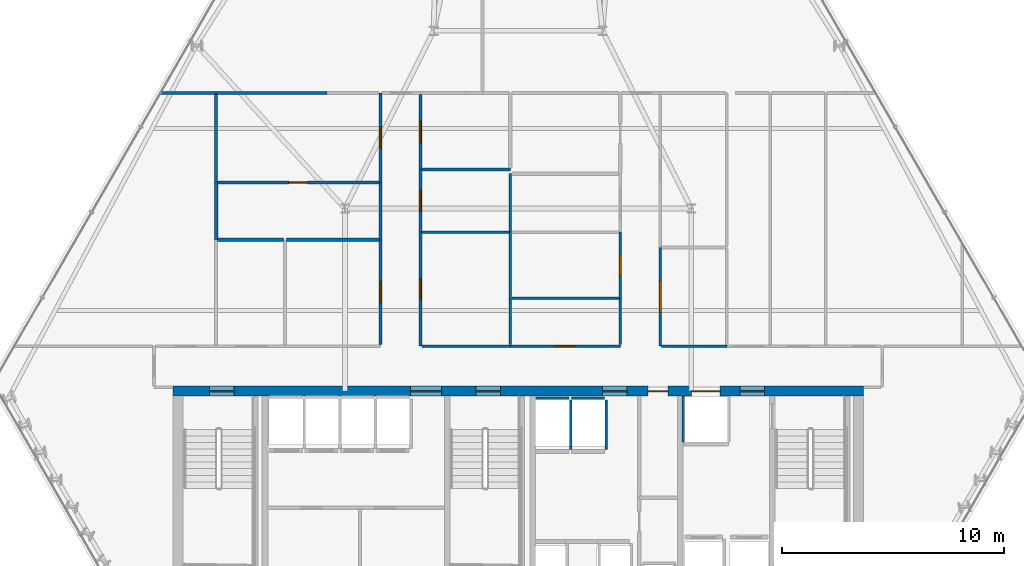
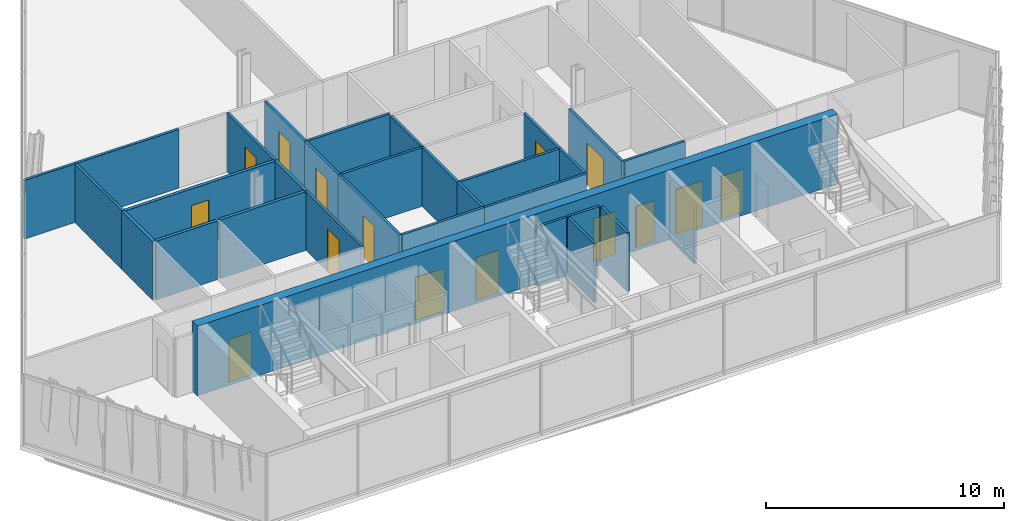
# One storey, part 26 of 31: 31 walls, 16 doors, 16 openings.
"""IFC4 building model written with IfcOpenShell, lengths in metres."""

from ifc_helpers import new_model, si_unit, direction, frame, frame_2d, origin, place, context, subcontext, project, spatial, rectangle, extrude, material, layer, layer_set, type_object, element, fill, save


model = new_model("IFC4")

# Units and contexts
model_context = context("Model", 3, precision=1e-05, world=origin(), true_north=direction((0.0, 1.0)))
body_context = subcontext(model_context, "Body", "Model", "MODEL_VIEW")
ifc_project = project(units=[si_unit("LENGTHUNIT", "METRE"), si_unit("AREAUNIT", "SQUARE_METRE"), si_unit("VOLUMEUNIT", "CUBIC_METRE"), si_unit("PLANEANGLEUNIT", "RADIAN"), si_unit("MASSUNIT", "GRAM", prefix="KILO")], contexts=[model_context])

# Site, building, storey
site_placement = place(None, origin())
site = spatial("IfcSite", under=ifc_project, at=site_placement, CompositionType="ELEMENT")
building_placement = place(site_placement, origin())
building = spatial("IfcBuilding", under=site, at=building_placement, Name="Ndaravel Arena Tower", CompositionType="ELEMENT")
storey_placement = place(building_placement, frame((0.0, 0.0, 146.0)))
storey = spatial("IfcBuildingStorey", under=building, at=storey_placement, Name="L34", CompositionType="ELEMENT", Elevation=146.0)

# Wall, openings, doors
ifc_material_1 = material(Name="Concrete C60/75", Category="concrete")
ifc_layer_1 = layer(ifc_material_1, 0.449951171875)
ifc_layer_set_1 = layer_set([ifc_layer_1], Name="Concrete C60/75")
wall_type_1 = type_object("IfcWallType", Name="WALL-CORE-450", PredefinedType="SOLIDWALL", material=ifc_layer_set_1)
wall_1_placement = place(storey_placement, frame((26.449951171875, 14.97509765625, 0.0), z_axis=(0.0, 0.0, 1.0), x_axis=(1.0, 0.0, 0.0)))
wall_1 = element("IfcWall", 1, at=wall_1_placement, inside=storey, type_object=wall_type_1, Name="L34 Core North Shear Wall", PredefinedType="SOLIDWALL", context=body_context, shape_type="SweptSolid", body=[
    extrude(rectangle(XDim=31.10009765625, YDim=0.449951171875, at=frame_2d((15.550048828125, 0.0))), origin(), (0.0, 0.0, 1.0), 3.580078125),
])
opening_1_placement = place(wall_1_placement, frame((1.64990234375, 0.0, 0.0)))
opening_1 = element("IfcOpeningElement", 2, at=opening_1_placement, cuts=wall_1, Name="Opening FD-01", PredefinedType="OPENING", context=body_context, shape_type="SweptSolid", body=[
    extrude(rectangle(XDim=1.10009765625, YDim=2.199951171875, at=frame_2d((0.550048828125, 1.10009765625))), frame((0.0, 0.22509765625, 0.0), z_axis=(0.0, -1.0, 0.0), x_axis=(1.0, 0.0, 0.0)), (0.0, 0.0, 1.0), 0.449951171875),
])
opening_2_placement = place(wall_1_placement, frame((13.64990234375, 0.0, 0.0)))
opening_2 = element("IfcOpeningElement", 3, at=opening_2_placement, cuts=wall_1, Name="Opening FD-01", PredefinedType="OPENING", context=body_context, shape_type="SweptSolid", body=[
    extrude(rectangle(XDim=1.10009765625, YDim=2.199951171875, at=frame_2d((0.550048828125, 1.10009765625))), frame((0.0, 0.22509765625, 0.0), z_axis=(0.0, -1.0, 0.0), x_axis=(1.0, 0.0, 0.0)), (0.0, 0.0, 1.0), 0.449951171875),
])
opening_3_placement = place(wall_1_placement, frame((25.550048828125, 0.0, 0.0)))
opening_3 = element("IfcOpeningElement", 4, at=opening_3_placement, cuts=wall_1, Name="Opening FD-01", PredefinedType="OPENING", context=body_context, shape_type="SweptSolid", body=[
    extrude(rectangle(XDim=1.10009765625, YDim=2.199951171875, at=frame_2d((0.550048828125, 1.10009765625))), frame((0.0, 0.22509765625, 0.0), z_axis=(0.0, -1.0, 0.0), x_axis=(1.0, 0.0, 0.0)), (0.0, 0.0, 1.0), 0.449951171875),
])
opening_4_placement = place(wall_1_placement, frame((10.699951171875, 0.0, 0.0)))
opening_4 = element("IfcOpeningElement", 5, at=opening_4_placement, cuts=wall_1, Name="Opening ID-02", PredefinedType="OPENING", context=body_context, shape_type="SweptSolid", body=[
    extrude(rectangle(XDim=1.39990234375, YDim=2.199951171875, at=frame_2d((0.699951171875, 1.10009765625))), frame((0.0, 0.22509765625, 0.0), z_axis=(0.0, -1.0, 0.0), x_axis=(1.0, 0.0, 0.0)), (0.0, 0.0, 1.0), 0.449951171875),
])
opening_5_placement = place(wall_1_placement, frame((19.35009765625, 0.0, 0.0)))
opening_5 = element("IfcOpeningElement", 6, at=opening_5_placement, cuts=wall_1, Name="Opening FD-01", PredefinedType="OPENING", context=body_context, shape_type="SweptSolid", body=[
    extrude(rectangle(XDim=1.10009765625, YDim=2.199951171875, at=frame_2d((0.550048828125, 1.10009765625))), frame((0.0, 0.22509765625, 0.0), z_axis=(0.0, -1.0, 0.0), x_axis=(1.0, 0.0, 0.0)), (0.0, 0.0, 1.0), 0.449951171875),
])
opening_6_placement = place(wall_1_placement, frame((21.39990234375, 0.0, 0.0)))
opening_6 = element("IfcOpeningElement", 7, at=opening_6_placement, cuts=wall_1, Name="Opening RD-01", PredefinedType="OPENING", context=body_context, shape_type="SweptSolid", body=[
    extrude(rectangle(XDim=0.89990234375, YDim=2.10009765625, at=frame_2d((0.449951171875, 1.050048828125))), frame((0.0, 0.22509765625, 0.0), z_axis=(0.0, -1.0, 0.0), x_axis=(1.0, 0.0, 0.0)), (0.0, 0.0, 1.0), 0.449951171875),
])
opening_7_placement = place(wall_1_placement, frame((23.35009765625, 0.0, 0.0)))
opening_7 = element("IfcOpeningElement", 8, at=opening_7_placement, cuts=wall_1, Name="Opening LD-02", PredefinedType="OPENING", context=body_context, shape_type="SweptSolid", body=[
    extrude(rectangle(XDim=1.300048828125, YDim=2.300048828125, at=frame_2d((0.64990234375, 1.14990234375))), frame((0.0, 0.22509765625, 0.0), z_axis=(0.0, -1.0, 0.0), x_axis=(1.0, 0.0, 0.0)), (0.0, 0.0, 1.0), 0.449951171875),
])
ifc_material_2 = material(Name="Steel S355", Category="steel")
door_type_1 = type_object("IfcDoorType", Name="DT-01-STAIR-1100", OperationType="SINGLE_SWING_LEFT", PredefinedType="DOOR", material=ifc_material_2)
door_1_placement = place(opening_1_placement, origin())
door_1 = element("IfcDoor", 9, at=door_1_placement, inside=storey, type_object=door_type_1, Name="L34 Exit Stair ST-1 Door", OperationType="SINGLE_SWING_LEFT", OverallHeight=2.199951171875, OverallWidth=1.10009765625, PredefinedType="DOOR", context=body_context, shape_type="SweptSolid", body=[
    extrude(rectangle(XDim=1.10009765625, YDim=2.199951171875, at=frame_2d((0.550048828125, 1.10009765625))), frame((0.0, 0.02490234375, 0.0), z_axis=(0.0, -1.0, 0.0), x_axis=(1.0, 0.0, 0.0)), (0.0, 0.0, 1.0), 0.050048828125),
])
fill(opening_1, door_1)
door_2_placement = place(opening_2_placement, origin())
door_2 = element("IfcDoor", 10, at=door_2_placement, inside=storey, type_object=door_type_1, Name="L34 Exit Stair ST-2 Door", OperationType="SINGLE_SWING_RIGHT", OverallHeight=2.199951171875, OverallWidth=1.10009765625, PredefinedType="DOOR", context=body_context, shape_type="SweptSolid", body=[
    extrude(rectangle(XDim=1.10009765625, YDim=2.199951171875, at=frame_2d((0.550048828125, 1.10009765625))), frame((0.0, 0.02490234375, 0.0), z_axis=(0.0, -1.0, 0.0), x_axis=(1.0, 0.0, 0.0)), (0.0, 0.0, 1.0), 0.050048828125),
])
fill(opening_2, door_2)
door_3_placement = place(opening_3_placement, origin())
door_3 = element("IfcDoor", 11, at=door_3_placement, inside=storey, type_object=door_type_1, Name="L34 Firefighting Lift Lobby Door", OperationType="SINGLE_SWING_RIGHT", OverallHeight=2.199951171875, OverallWidth=1.10009765625, PredefinedType="DOOR", context=body_context, shape_type="SweptSolid", body=[
    extrude(rectangle(XDim=1.10009765625, YDim=2.199951171875, at=frame_2d((0.550048828125, 1.10009765625))), frame((0.0, 0.02490234375, 0.0), z_axis=(0.0, -1.0, 0.0), x_axis=(1.0, 0.0, 0.0)), (0.0, 0.0, 1.0), 0.050048828125),
])
fill(opening_3, door_3)
door_4_placement = place(opening_5_placement, origin())
door_4 = element("IfcDoor", 12, at=door_4_placement, inside=storey, type_object=door_type_1, Name="L34 Express Lift Lobby Entry Door", OperationType="SINGLE_SWING_LEFT", OverallHeight=2.199951171875, OverallWidth=1.10009765625, PredefinedType="DOOR", context=body_context, shape_type="SweptSolid", body=[
    extrude(rectangle(XDim=1.10009765625, YDim=2.199951171875, at=frame_2d((0.550048828125, 1.10009765625))), frame((0.0, 0.02490234375, 0.0), z_axis=(0.0, -1.0, 0.0), x_axis=(1.0, 0.0, 0.0)), (0.0, 0.0, 1.0), 0.050048828125),
])
fill(opening_5, door_4)
ifc_material_3 = material(Name="Timber", Category="wood")
door_type_2 = type_object("IfcDoorType", Name="DT-04-SUITE-1400", OperationType="DOUBLE_DOOR_SINGLE_SWING", PredefinedType="DOOR", material=ifc_material_3)
door_5_placement = place(opening_4_placement, origin())
door_5 = element("IfcDoor", 13, at=door_5_placement, inside=storey, type_object=door_type_2, Name="L34 West Lift Lobby Entry Door", OperationType="DOUBLE_DOOR_SINGLE_SWING", OverallHeight=2.199951171875, OverallWidth=1.39990234375, PredefinedType="DOOR", context=body_context, shape_type="SweptSolid", body=[
    extrude(rectangle(XDim=1.39990234375, YDim=2.199951171875, at=frame_2d((0.699951171875, 1.10009765625))), frame((0.0, 0.02490234375, 0.0), z_axis=(0.0, -1.0, 0.0), x_axis=(1.0, 0.0, 0.0)), (0.0, 0.0, 1.0), 0.050048828125),
])
fill(opening_4, door_5)
ifc_material_4 = material(Name="Steel S355", Category="steel")
door_type_3 = type_object("IfcDoorType", Name="DT-07-SVLIFT-1300", OperationType="DOUBLE_DOOR_SLIDING", PredefinedType="DOOR", material=ifc_material_4)
door_6_placement = place(opening_7_placement, origin())
door_6 = element("IfcDoor", 14, at=door_6_placement, inside=storey, type_object=door_type_3, Name="L34 Lift SVL-1 Sliding Landing Door", OperationType="DOUBLE_DOOR_SLIDING", OverallHeight=2.300048828125, OverallWidth=1.300048828125, PredefinedType="DOOR", context=body_context, shape_type="SweptSolid", body=[
    extrude(rectangle(XDim=1.300048828125, YDim=2.300048828125, at=frame_2d((0.64990234375, 1.14990234375))), frame((0.0, 0.02490234375, 0.0), z_axis=(0.0, -1.0, 0.0), x_axis=(1.0, 0.0, 0.0)), (0.0, 0.0, 1.0), 0.050048828125),
])
fill(opening_7, door_6)
ifc_material_5 = material(Name="Steel S355", Category="steel")
door_type_4 = type_object("IfcDoorType", Name="DT-08-RISER-900", OperationType="SINGLE_SWING_LEFT", PredefinedType="DOOR", material=ifc_material_5)
door_7_placement = place(opening_6_placement, origin())
door_7 = element("IfcDoor", 15, at=door_7_placement, inside=storey, type_object=door_type_4, Name="L34 Core Service Riser North Door", OperationType="SINGLE_SWING_LEFT", OverallHeight=2.10009765625, OverallWidth=0.89990234375, PredefinedType="DOOR", context=body_context, shape_type="SweptSolid", body=[
    extrude(rectangle(XDim=0.89990234375, YDim=2.10009765625, at=frame_2d((0.449951171875, 1.050048828125))), frame((0.0, 0.02490234375, 0.0), z_axis=(0.0, -1.0, 0.0), x_axis=(1.0, 0.0, 0.0)), (0.0, 0.0, 1.0), 0.050048828125),
])
fill(opening_6, door_7)

# Wall, opening, door
ifc_material_6 = material(Name="Gypsum", Category="gypsum")
ifc_layer_2 = layer(ifc_material_6, 0.125)
ifc_layer_set_2 = layer_set([ifc_layer_2], Name="Gypsum")
wall_type_2 = type_object("IfcWallType", Name="WALL-PART-125", PredefinedType="PARTITIONING", material=ifc_layer_set_2)
wall_2_placement = place(storey_placement, frame((35.800048828125, 17.06494140625, 0.0), z_axis=(0.0, 0.0, 1.0), x_axis=(0.0, 1.0, 0.0)))
wall_2 = element("IfcWall", 16, at=wall_2_placement, inside=storey, type_object=wall_type_2, Name="L34 Interior Partition 008", PredefinedType="PARTITIONING", context=body_context, shape_type="SweptSolid", body=[
    extrude(rectangle(XDim=4.72314453125, YDim=0.125, at=frame_2d((2.361572265625, 0.0))), origin(), (0.0, 0.0, 1.0), 3.010498046875),
])
opening_8_placement = place(wall_2_placement, frame((1.886474609375, 0.0, 0.0)))
opening_8 = element("IfcOpeningElement", 17, at=opening_8_placement, cuts=wall_2, Name="Opening ID-01", PredefinedType="OPENING", context=body_context, shape_type="SweptSolid", body=[
    extrude(rectangle(XDim=0.949951171875, YDim=2.199951171875, at=frame_2d((0.47509765625, 1.10009765625))), frame((0.0, 0.0625, 0.0), z_axis=(0.0, -1.0, 0.0), x_axis=(1.0, 0.0, 0.0)), (0.0, 0.0, 1.0), 0.125),
])
ifc_material_7 = material(Name="Timber", Category="wood")
door_type_5 = type_object("IfcDoorType", Name="DT-03-OFFICE-950", OperationType="SINGLE_SWING_LEFT", PredefinedType="DOOR", material=ifc_material_7)
door_8_placement = place(opening_8_placement, origin())
door_8 = element("IfcDoor", 18, at=door_8_placement, inside=storey, type_object=door_type_5, Name="L34 Project Seminar Room 3 Door", OperationType="SINGLE_SWING_RIGHT", OverallHeight=2.199951171875, OverallWidth=0.949951171875, PredefinedType="DOOR", context=body_context, shape_type="SweptSolid", body=[
    extrude(rectangle(XDim=0.949951171875, YDim=2.199951171875, at=frame_2d((0.47509765625, 1.10009765625))), frame((0.0, 0.02490234375, 0.0), z_axis=(0.0, -1.0, 0.0), x_axis=(1.0, 0.0, 0.0)), (0.0, 0.0, 1.0), 0.050048828125),
])
fill(opening_8, door_8)

wall_3_placement = place(storey_placement, frame((35.800048828125, 24.36669921875, 0.0), z_axis=(0.0, 0.0, 1.0), x_axis=(0.0, 1.0, 0.0)))
wall_3 = element("IfcWall", 19, at=wall_3_placement, inside=storey, type_object=wall_type_2, Name="L34 Interior Partition 010", PredefinedType="PARTITIONING", context=body_context, shape_type="SweptSolid", body=[
    extrude(rectangle(XDim=4.033203125, YDim=0.125, at=frame_2d((2.0166015625, 0.0))), origin(), (0.0, 0.0, 1.0), 3.010498046875),
])
opening_9_placement = place(wall_3_placement, frame((1.54150390625, 0.0, 0.0)))
opening_9 = element("IfcOpeningElement", 20, at=opening_9_placement, cuts=wall_3, Name="Opening ID-01", PredefinedType="OPENING", context=body_context, shape_type="SweptSolid", body=[
    extrude(rectangle(XDim=0.949951171875, YDim=2.199951171875, at=frame_2d((0.47509765625, 1.10009765625))), frame((0.0, 0.0625, 0.0), z_axis=(0.0, -1.0, 0.0), x_axis=(1.0, 0.0, 0.0)), (0.0, 0.0, 1.0), 0.125),
])
door_9_placement = place(opening_9_placement, origin())
door_9 = element("IfcDoor", 21, at=door_9_placement, inside=storey, type_object=door_type_5, Name="L34 Media Cinema Room 7 Door", OperationType="SINGLE_SWING_LEFT", OverallHeight=2.199951171875, OverallWidth=0.949951171875, PredefinedType="DOOR", context=body_context, shape_type="SweptSolid", body=[
    extrude(rectangle(XDim=0.949951171875, YDim=2.199951171875, at=frame_2d((0.47509765625, 1.10009765625))), frame((0.0, 0.02490234375, 0.0), z_axis=(0.0, -1.0, 0.0), x_axis=(1.0, 0.0, 0.0)), (0.0, 0.0, 1.0), 0.050048828125),
])
fill(opening_9, door_9)

wall_4_placement = place(storey_placement, frame((37.60009765625, 28.3349609375, 0.0), z_axis=(0.0, 0.0, 1.0), x_axis=(0.0, -1.0, 0.0)))
wall_4 = element("IfcWall", 22, at=wall_4_placement, inside=storey, type_object=wall_type_2, Name="L34 Interior Partition 012", PredefinedType="PARTITIONING", context=body_context, shape_type="SweptSolid", body=[
    extrude(rectangle(XDim=3.383544921875, YDim=0.125, at=frame_2d((1.69189453125, 0.0))), origin(), (0.0, 0.0, 1.0), 3.010498046875),
])
opening_10_placement = place(wall_4_placement, frame((1.216796875, 0.0, 0.0)))
opening_10 = element("IfcOpeningElement", 23, at=opening_10_placement, cuts=wall_4, Name="Opening ID-01", PredefinedType="OPENING", context=body_context, shape_type="SweptSolid", body=[
    extrude(rectangle(XDim=0.949951171875, YDim=2.199951171875, at=frame_2d((0.47509765625, 1.10009765625))), frame((0.0, 0.0625, 0.0), z_axis=(0.0, -1.0, 0.0), x_axis=(1.0, 0.0, 0.0)), (0.0, 0.0, 1.0), 0.125),
])
door_10_placement = place(opening_10_placement, origin())
door_10 = element("IfcDoor", 24, at=door_10_placement, inside=storey, type_object=door_type_5, Name="L34 Training Classroom 8 Door", OperationType="SINGLE_SWING_LEFT", OverallHeight=2.199951171875, OverallWidth=0.949951171875, PredefinedType="DOOR", context=body_context, shape_type="SweptSolid", body=[
    extrude(rectangle(XDim=0.949951171875, YDim=2.199951171875, at=frame_2d((0.47509765625, 1.10009765625))), frame((0.0, 0.02490234375, 0.0), z_axis=(0.0, -1.0, 0.0), x_axis=(1.0, 0.0, 0.0)), (0.0, 0.0, 1.0), 0.050048828125),
])
fill(opening_10, door_10)

wall_5_placement = place(storey_placement, frame((37.60009765625, 24.951416015625, 0.0), z_axis=(0.0, 0.0, 1.0), x_axis=(0.0, -1.0, 0.0)))
wall_5 = element("IfcWall", 25, at=wall_5_placement, inside=storey, type_object=wall_type_2, Name="L34 Interior Partition 013", PredefinedType="PARTITIONING", context=body_context, shape_type="SweptSolid", body=[
    extrude(rectangle(XDim=2.821533203125, YDim=0.125, at=frame_2d((1.41064453125, 0.0))), origin(), (0.0, 0.0, 1.0), 3.010498046875),
])
opening_11_placement = place(wall_5_placement, frame((0.935791015625, 0.0, 0.0)))
opening_11 = element("IfcOpeningElement", 26, at=opening_11_placement, cuts=wall_5, Name="Opening ID-01", PredefinedType="OPENING", context=body_context, shape_type="SweptSolid", body=[
    extrude(rectangle(XDim=0.949951171875, YDim=2.199951171875, at=frame_2d((0.47509765625, 1.10009765625))), frame((0.0, 0.0625, 0.0), z_axis=(0.0, -1.0, 0.0), x_axis=(1.0, 0.0, 0.0)), (0.0, 0.0, 1.0), 0.125),
])
door_11_placement = place(opening_11_placement, origin())
door_11 = element("IfcDoor", 27, at=door_11_placement, inside=storey, type_object=door_type_5, Name="L34 Wellness Fitness Gym 6 Door", OperationType="SINGLE_SWING_LEFT", OverallHeight=2.199951171875, OverallWidth=0.949951171875, PredefinedType="DOOR", context=body_context, shape_type="SweptSolid", body=[
    extrude(rectangle(XDim=0.949951171875, YDim=2.199951171875, at=frame_2d((0.47509765625, 1.10009765625))), frame((0.0, 0.02490234375, 0.0), z_axis=(0.0, -1.0, 0.0), x_axis=(1.0, 0.0, 0.0)), (0.0, 0.0, 1.0), 0.050048828125),
])
fill(opening_11, door_11)

wall_6_placement = place(storey_placement, frame((37.60009765625, 22.1298828125, 0.0), z_axis=(0.0, 0.0, 1.0), x_axis=(0.0, -1.0, 0.0)))
wall_6 = element("IfcWall", 28, at=wall_6_placement, inside=storey, type_object=wall_type_2, Name="L34 Interior Partition 014", PredefinedType="PARTITIONING", context=body_context, shape_type="SweptSolid", body=[
    extrude(rectangle(XDim=5.1298828125, YDim=0.125, at=frame_2d((2.56494140625, 0.0))), origin(), (0.0, 0.0, 1.0), 3.010498046875),
])
opening_12_placement = place(wall_6_placement, frame((2.090087890625, 0.0, 0.0)))
opening_12 = element("IfcOpeningElement", 29, at=opening_12_placement, cuts=wall_6, Name="Opening ID-01", PredefinedType="OPENING", context=body_context, shape_type="SweptSolid", body=[
    extrude(rectangle(XDim=0.949951171875, YDim=2.199951171875, at=frame_2d((0.47509765625, 1.10009765625))), frame((0.0, 0.0625, 0.0), z_axis=(0.0, -1.0, 0.0), x_axis=(1.0, 0.0, 0.0)), (0.0, 0.0, 1.0), 0.125),
])
door_12_placement = place(opening_12_placement, origin())
door_12 = element("IfcDoor", 30, at=door_12_placement, inside=storey, type_object=door_type_5, Name="L34 Wellness Fitness Gym 2 Door", OperationType="SINGLE_SWING_LEFT", OverallHeight=2.199951171875, OverallWidth=0.949951171875, PredefinedType="DOOR", context=body_context, shape_type="SweptSolid", body=[
    extrude(rectangle(XDim=0.949951171875, YDim=2.199951171875, at=frame_2d((0.47509765625, 1.10009765625))), frame((0.0, 0.02490234375, 0.0), z_axis=(0.0, -1.0, 0.0), x_axis=(1.0, 0.0, 0.0)), (0.0, 0.0, 1.0), 0.050048828125),
])
fill(opening_12, door_12)

# Wall
wall_7_placement = place(storey_placement, frame((37.6650390625, 17.0, 0.0), z_axis=(0.0, 0.0, 1.0), x_axis=(1.0, 0.0, 0.0)))
element("IfcWall", 31, at=wall_7_placement, inside=storey, type_object=wall_type_2, Name="L34 Interior Partition 015", PredefinedType="PARTITIONING", context=body_context, shape_type="SweptSolid", body=[
    extrude(rectangle(XDim=3.98486328125, YDim=0.125, at=frame_2d((1.992431640625, 0.0))), origin(), (0.0, 0.0, 1.0), 3.010498046875),
])

# Wall, opening, door
wall_8_placement = place(storey_placement, frame((41.64990234375, 17.0, 0.0), z_axis=(0.0, 0.0, 1.0), x_axis=(1.0, 0.0, 0.0)))
wall_8 = element("IfcWall", 32, at=wall_8_placement, inside=storey, type_object=wall_type_2, Name="L34 Interior Partition 016", PredefinedType="PARTITIONING", context=body_context, shape_type="SweptSolid", body=[
    extrude(rectangle(XDim=4.9501953125, YDim=0.125, at=frame_2d((2.47509765625, 0.0))), origin(), (0.0, 0.0, 1.0), 3.010498046875),
])
opening_13_placement = place(wall_8_placement, frame((2.0, 0.0, 0.0)))
opening_13 = element("IfcOpeningElement", 33, at=opening_13_placement, cuts=wall_8, Name="Opening ID-01", PredefinedType="OPENING", context=body_context, shape_type="SweptSolid", body=[
    extrude(rectangle(XDim=0.949951171875, YDim=2.199951171875, at=frame_2d((0.47509765625, 1.10009765625))), frame((0.0, 0.0625, 0.0), z_axis=(0.0, -1.0, 0.0), x_axis=(1.0, 0.0, 0.0)), (0.0, 0.0, 1.0), 0.125),
])
door_13_placement = place(opening_13_placement, origin())
door_13 = element("IfcDoor", 34, at=door_13_placement, inside=storey, type_object=door_type_5, Name="L34 Design Bookshop Boutique Door", OperationType="SINGLE_SWING_LEFT", OverallHeight=2.199951171875, OverallWidth=0.949951171875, PredefinedType="DOOR", context=body_context, shape_type="SweptSolid", body=[
    extrude(rectangle(XDim=0.949951171875, YDim=2.199951171875, at=frame_2d((0.47509765625, 1.10009765625))), frame((0.0, 0.02490234375, 0.0), z_axis=(0.0, -1.0, 0.0), x_axis=(1.0, 0.0, 0.0)), (0.0, 0.0, 1.0), 0.050048828125),
])
fill(opening_13, door_13)

# Wall
wall_9_placement = place(storey_placement, frame((46.60009765625, 17.06494140625, 0.0), z_axis=(0.0, 0.0, 1.0), x_axis=(0.0, 1.0, 0.0)))
element("IfcWall", 35, at=wall_9_placement, inside=storey, type_object=wall_type_2, Name="L34 Interior Partition 017", PredefinedType="PARTITIONING", context=body_context, shape_type="SweptSolid", body=[
    extrude(rectangle(XDim=2.089599609375, YDim=0.125, at=frame_2d((1.044921875, 0.0))), origin(), (0.0, 0.0, 1.0), 3.010498046875),
])

# Wall, opening, door
wall_10_placement = place(storey_placement, frame((46.60009765625, 19.154541015625, 0.0), z_axis=(0.0, 0.0, 1.0), x_axis=(0.0, 1.0, 0.0)))
wall_10 = element("IfcWall", 36, at=wall_10_placement, inside=storey, type_object=wall_type_2, Name="L34 Interior Partition 018", PredefinedType="PARTITIONING", context=body_context, shape_type="SweptSolid", body=[
    extrude(rectangle(XDim=2.975341796875, YDim=0.125, at=frame_2d((1.48779296875, 0.0))), origin(), (0.0, 0.0, 1.0), 3.010498046875),
])
opening_14_placement = place(wall_10_placement, frame((1.0126953125, 0.0, 0.0)))
opening_14 = element("IfcOpeningElement", 37, at=opening_14_placement, cuts=wall_10, Name="Opening ID-01", PredefinedType="OPENING", context=body_context, shape_type="SweptSolid", body=[
    extrude(rectangle(XDim=0.949951171875, YDim=2.199951171875, at=frame_2d((0.47509765625, 1.10009765625))), frame((0.0, 0.0625, 0.0), z_axis=(0.0, -1.0, 0.0), x_axis=(1.0, 0.0, 0.0)), (0.0, 0.0, 1.0), 0.125),
])
door_14_placement = place(opening_14_placement, origin())
door_14 = element("IfcDoor", 38, at=door_14_placement, inside=storey, type_object=door_type_5, Name="L34 Media Cinema Room 3 Door", OperationType="SINGLE_SWING_RIGHT", OverallHeight=2.199951171875, OverallWidth=0.949951171875, PredefinedType="DOOR", context=body_context, shape_type="SweptSolid", body=[
    extrude(rectangle(XDim=0.949951171875, YDim=2.199951171875, at=frame_2d((0.47509765625, 1.10009765625))), frame((0.0, 0.02490234375, 0.0), z_axis=(0.0, -1.0, 0.0), x_axis=(1.0, 0.0, 0.0)), (0.0, 0.0, 1.0), 0.050048828125),
])
fill(opening_14, door_14)

wall_11_placement = place(storey_placement, frame((48.39990234375, 21.446044921875, 0.0), z_axis=(0.0, 0.0, 1.0), x_axis=(0.0, -1.0, 0.0)))
wall_11 = element("IfcWall", 39, at=wall_11_placement, inside=storey, type_object=wall_type_2, Name="L34 Interior Partition 023", PredefinedType="PARTITIONING", context=body_context, shape_type="SweptSolid", body=[
    extrude(rectangle(XDim=4.446044921875, YDim=0.125, at=frame_2d((2.22314453125, 0.0))), origin(), (0.0, 0.0, 1.0), 3.010498046875),
])
opening_15_placement = place(wall_11_placement, frame((1.52294921875, 0.0, 0.0)))
opening_15 = element("IfcOpeningElement", 40, at=opening_15_placement, cuts=wall_11, Name="Opening ID-02", PredefinedType="OPENING", context=body_context, shape_type="SweptSolid", body=[
    extrude(rectangle(XDim=1.39990234375, YDim=2.199951171875, at=frame_2d((0.699951171875, 1.10009765625))), frame((0.0, 0.0625, 0.0), z_axis=(0.0, -1.0, 0.0), x_axis=(1.0, 0.0, 0.0)), (0.0, 0.0, 1.0), 0.125),
])
door_15_placement = place(opening_15_placement, origin())
door_15 = element("IfcDoor", 41, at=door_15_placement, inside=storey, type_object=door_type_2, Name="L34 Collaborative Lounge Door", OperationType="SINGLE_SWING_RIGHT", OverallHeight=2.199951171875, OverallWidth=1.39990234375, PredefinedType="DOOR", context=body_context, shape_type="SweptSolid", body=[
    extrude(rectangle(XDim=1.39990234375, YDim=2.199951171875, at=frame_2d((0.699951171875, 1.10009765625))), frame((0.0, 0.02490234375, 0.0), z_axis=(0.0, -1.0, 0.0), x_axis=(1.0, 0.0, 0.0)), (0.0, 0.0, 1.0), 0.050048828125),
])
fill(opening_15, door_15)

# Walls
wall_12_placement = place(storey_placement, frame((48.465087890625, 17.0, 0.0), z_axis=(0.0, 0.0, 1.0), x_axis=(1.0, 0.0, 0.0)))
element("IfcWall", 42, at=wall_12_placement, inside=storey, type_object=wall_type_2, Name="L34 Interior Partition 024", PredefinedType="PARTITIONING", context=body_context, shape_type="SweptSolid", body=[
    extrude(rectangle(XDim=2.934814453125, YDim=0.125, at=frame_2d((1.46728515625, 0.0))), origin(), (0.0, 0.0, 1.0), 3.010498046875),
])
wall_13_placement = place(storey_placement, frame((41.64990234375, 17.06494140625, 0.0), z_axis=(0.0, 0.0, 1.0), x_axis=(0.0, 1.0, 0.0)))
element("IfcWall", 43, at=wall_13_placement, inside=storey, type_object=wall_type_2, Name="L34 Interior Partition 032", PredefinedType="PARTITIONING", context=body_context, shape_type="SweptSolid", body=[
    extrude(rectangle(XDim=2.089599609375, YDim=0.125, at=frame_2d((1.044921875, 0.0))), origin(), (0.0, 0.0, 1.0), 3.010498046875),
])
wall_14_placement = place(storey_placement, frame((41.715087890625, 19.154541015625, 0.0), z_axis=(0.0, 0.0, 1.0), x_axis=(1.0, 0.0, 0.0)))
element("IfcWall", 44, at=wall_14_placement, inside=storey, type_object=wall_type_2, Name="L34 Interior Partition 033", PredefinedType="PARTITIONING", context=body_context, shape_type="SweptSolid", body=[
    extrude(rectangle(XDim=4.81982421875, YDim=0.125, at=frame_2d((2.409912109375, 0.0))), origin(), (0.0, 0.0, 1.0), 3.010498046875),
])
wall_15_placement = place(storey_placement, frame((41.64990234375, 22.1298828125, 0.0), z_axis=(0.0, 0.0, 1.0), x_axis=(0.0, -1.0, 0.0)))
element("IfcWall", 45, at=wall_15_placement, inside=storey, type_object=wall_type_2, Name="L34 Interior Partition 040", PredefinedType="PARTITIONING", context=body_context, shape_type="SweptSolid", body=[
    extrude(rectangle(XDim=2.975341796875, YDim=0.125, at=frame_2d((1.48779296875, 0.0))), origin(), (0.0, 0.0, 1.0), 3.010498046875),
])
wall_16_placement = place(storey_placement, frame((37.6650390625, 22.1298828125, 0.0), z_axis=(0.0, 0.0, 1.0), x_axis=(1.0, 0.0, 0.0)))
element("IfcWall", 46, at=wall_16_placement, inside=storey, type_object=wall_type_2, Name="L34 Interior Partition 041", PredefinedType="PARTITIONING", context=body_context, shape_type="SweptSolid", body=[
    extrude(rectangle(XDim=3.919921875, YDim=0.125, at=frame_2d((1.9599609375, 0.0))), origin(), (0.0, 0.0, 1.0), 3.010498046875),
])
wall_17_placement = place(storey_placement, frame((25.898681640625, 28.39990234375, 0.0), z_axis=(0.0, 0.0, 1.0), x_axis=(1.0, 0.0, 0.0)))
element("IfcWall", 47, at=wall_17_placement, inside=storey, type_object=wall_type_2, Name="L34 Interior Partition 043", PredefinedType="PARTITIONING", context=body_context, shape_type="SweptSolid", body=[
    extrude(rectangle(XDim=2.501220703125, YDim=0.125, at=frame_2d((1.25048828125, 0.0))), origin(), (0.0, 0.0, 1.0), 3.010498046875),
])
wall_18_placement = place(storey_placement, frame((28.39990234375, 28.3349609375, 0.0), z_axis=(0.0, 0.0, 1.0), x_axis=(0.0, -1.0, 0.0)))
element("IfcWall", 48, at=wall_18_placement, inside=storey, type_object=wall_type_2, Name="L34 Interior Partition 044", PredefinedType="PARTITIONING", context=body_context, shape_type="SweptSolid", body=[
    extrude(rectangle(XDim=3.96826171875, YDim=0.125, at=frame_2d((1.984130859375, 0.0))), origin(), (0.0, 0.0, 1.0), 3.010498046875),
])
wall_19_placement = place(storey_placement, frame((41.64990234375, 22.1298828125, 0.0), z_axis=(0.0, 0.0, 1.0), x_axis=(0.0, 1.0, 0.0)))
element("IfcWall", 49, at=wall_19_placement, inside=storey, type_object=wall_type_2, Name="L34 Interior Partition 055", PredefinedType="PARTITIONING", context=body_context, shape_type="SweptSolid", body=[
    extrude(rectangle(XDim=2.633544921875, YDim=0.125, at=frame_2d((1.31689453125, 0.0))), origin(), (0.0, 0.0, 1.0), 3.010498046875),
])
wall_20_placement = place(storey_placement, frame((37.6650390625, 24.951416015625, 0.0), z_axis=(0.0, 0.0, 1.0), x_axis=(1.0, 0.0, 0.0)))
element("IfcWall", 50, at=wall_20_placement, inside=storey, type_object=wall_type_2, Name="L34 Interior Partition 057", PredefinedType="PARTITIONING", context=body_context, shape_type="SweptSolid", body=[
    extrude(rectangle(XDim=3.98486328125, YDim=0.125, at=frame_2d((1.992431640625, 0.0))), origin(), (0.0, 0.0, 1.0), 3.010498046875),
])
wall_21_placement = place(storey_placement, frame((28.39990234375, 28.39990234375, 0.0), z_axis=(0.0, 0.0, 1.0), x_axis=(1.0, 0.0, 0.0)))
element("IfcWall", 51, at=wall_21_placement, inside=storey, type_object=wall_type_2, Name="L34 Interior Partition 059", PredefinedType="PARTITIONING", context=body_context, shape_type="SweptSolid", body=[
    extrude(rectangle(XDim=5.0, YDim=0.125, at=frame_2d((2.5, 0.0))), origin(), (0.0, 0.0, 1.0), 3.010498046875),
])
ifc_material_8 = material(Name="Concrete C40/50", Category="concrete")
ifc_layer_3 = layer(ifc_material_8, 0.1201171875)
ifc_layer_set_3 = layer_set([ifc_layer_3], Name="Concrete C40/50")
wall_type_3 = type_object("IfcWallType", Name="WALL-SHAFT-120", PredefinedType="SOLIDWALL", material=ifc_layer_set_3)
wall_22_placement = place(storey_placement, frame((42.804931640625, 14.659912109375, 0.0), z_axis=(0.0, 0.0, 1.0), x_axis=(1.0, 0.0, 0.0)))
element("IfcWall", 52, at=wall_22_placement, inside=storey, type_object=wall_type_3, Name="L34 PL-OBS1 Shaft Rear Wall", PredefinedType="SOLIDWALL", context=body_context, shape_type="SweptSolid", body=[
    extrude(rectangle(XDim=1.489990234375, YDim=0.1201171875, at=frame_2d((0.7451171875, 0.0))), origin(), (0.0, 0.0, 1.0), 3.010498046875),
])
wall_23_placement = place(storey_placement, frame((44.375, 12.340087890625, 0.0), z_axis=(0.0, 0.0, 1.0), x_axis=(0.0, 1.0, 0.0)))
element("IfcWall", 53, at=wall_23_placement, inside=storey, type_object=wall_type_3, Name="L34 PL-OBS1 Shaft Side R Wall", PredefinedType="SOLIDWALL", context=body_context, shape_type="SweptSolid", body=[
    extrude(rectangle(XDim=2.22998046875, YDim=0.1201171875, at=frame_2d((1.114990234375, 0.0))), origin(), (0.0, 0.0, 1.0), 3.010498046875),
])
wall_24_placement = place(storey_placement, frame((44.405029296875, 14.659912109375, 0.0), z_axis=(0.0, 0.0, 1.0), x_axis=(1.0, 0.0, 0.0)))
element("IfcWall", 54, at=wall_24_placement, inside=storey, type_object=wall_type_3, Name="L34 PL-OBS2 Shaft Rear Wall", PredefinedType="SOLIDWALL", context=body_context, shape_type="SweptSolid", body=[
    extrude(rectangle(XDim=1.489990234375, YDim=0.1201171875, at=frame_2d((0.7451171875, 0.0))), origin(), (0.0, 0.0, 1.0), 3.010498046875),
])
wall_25_placement = place(storey_placement, frame((45.97509765625, 12.340087890625, 0.0), z_axis=(0.0, 0.0, 1.0), x_axis=(0.0, 1.0, 0.0)))
element("IfcWall", 55, at=wall_25_placement, inside=storey, type_object=wall_type_3, Name="L34 PL-OBS2 Shaft Side R Wall", PredefinedType="SOLIDWALL", context=body_context, shape_type="SweptSolid", body=[
    extrude(rectangle(XDim=2.22998046875, YDim=0.1201171875, at=frame_2d((1.114990234375, 0.0))), origin(), (0.0, 0.0, 1.0), 3.010498046875),
])
wall_26_placement = place(storey_placement, frame((49.43994140625, 12.68994140625, 0.0), z_axis=(0.0, 0.0, 1.0), x_axis=(0.0, 1.0, 0.0)))
element("IfcWall", 56, at=wall_26_placement, inside=storey, type_object=wall_type_3, Name="L34 SVL-1 Shaft W Wall", PredefinedType="SOLIDWALL", context=body_context, shape_type="SweptSolid", body=[
    extrude(rectangle(XDim=2.070068359375, YDim=0.1201171875, at=frame_2d((1.03515625, 0.0))), origin(), (0.0, 0.0, 1.0), 3.010498046875),
])
ifc_material_9 = material(Name="Masonry", Category="masonry")
ifc_layer_4 = layer(ifc_material_9, 0.14990234375)
ifc_layer_set_4 = layer_set([ifc_layer_4], Name="Masonry")
wall_type_4 = type_object("IfcWallType", Name="WALL-WET-150", PredefinedType="PARTITIONING", material=ifc_layer_set_4)
wall_27_placement = place(storey_placement, frame((35.800048828125, 21.7880859375, 0.0), z_axis=(0.0, 0.0, 1.0), x_axis=(0.0, 1.0, 0.0)))
element("IfcWall", 57, at=wall_27_placement, inside=storey, type_object=wall_type_4, Name="L34 Interior Partition 009", PredefinedType="PARTITIONING", context=body_context, shape_type="SweptSolid", body=[
    extrude(rectangle(XDim=2.57861328125, YDim=0.14990234375, at=frame_2d((1.289306640625, 0.0))), origin(), (0.0, 0.0, 1.0), 3.010498046875),
])
wall_28_placement = place(storey_placement, frame((28.465087890625, 21.7880859375, 0.0), z_axis=(0.0, 0.0, 1.0), x_axis=(1.0, 0.0, 0.0)))
element("IfcWall", 58, at=wall_28_placement, inside=storey, type_object=wall_type_4, Name="L34 Interior Partition 038", PredefinedType="PARTITIONING", context=body_context, shape_type="SweptSolid", body=[
    extrude(rectangle(XDim=2.97802734375, YDim=0.14990234375, at=frame_2d((1.489013671875, 0.0))), origin(), (0.0, 0.0, 1.0), 3.010498046875),
])
wall_29_placement = place(storey_placement, frame((31.572998046875, 21.7880859375, 0.0), z_axis=(0.0, 0.0, 1.0), x_axis=(1.0, 0.0, 0.0)))
element("IfcWall", 59, at=wall_29_placement, inside=storey, type_object=wall_type_4, Name="L34 Interior Partition 039", PredefinedType="PARTITIONING", context=body_context, shape_type="SweptSolid", body=[
    extrude(rectangle(XDim=4.162109375, YDim=0.14990234375, at=frame_2d((2.0810546875, 0.0))), origin(), (0.0, 0.0, 1.0), 3.010498046875),
])
wall_30_placement = place(storey_placement, frame((28.39990234375, 24.36669921875, 0.0), z_axis=(0.0, 0.0, 1.0), x_axis=(0.0, -1.0, 0.0)))
element("IfcWall", 60, at=wall_30_placement, inside=storey, type_object=wall_type_4, Name="L34 Interior Partition 045", PredefinedType="PARTITIONING", context=body_context, shape_type="SweptSolid", body=[
    extrude(rectangle(XDim=2.57861328125, YDim=0.14990234375, at=frame_2d((1.289306640625, 0.0))), origin(), (0.0, 0.0, 1.0), 3.010498046875),
])

# Wall, opening, door
wall_31_placement = place(storey_placement, frame((28.465087890625, 24.36669921875, 0.0), z_axis=(0.0, 0.0, 1.0), x_axis=(1.0, 0.0, 0.0)))
wall_31 = element("IfcWall", 61, at=wall_31_placement, inside=storey, type_object=wall_type_4, Name="L34 Interior Partition 054", PredefinedType="PARTITIONING", context=body_context, shape_type="SweptSolid", body=[
    extrude(rectangle(XDim=7.27001953125, YDim=0.14990234375, at=frame_2d((3.635009765625, 0.0))), origin(), (0.0, 0.0, 1.0), 3.010498046875),
])
opening_16_placement = place(wall_31_placement, frame((3.2099609375, 0.0, 0.0)))
opening_16 = element("IfcOpeningElement", 62, at=opening_16_placement, cuts=wall_31, Name="Opening ID-03", PredefinedType="OPENING", context=body_context, shape_type="SweptSolid", body=[
    extrude(rectangle(XDim=0.85009765625, YDim=2.14990234375, at=frame_2d((0.425048828125, 1.074951171875))), frame((0.0, 0.074951171875, 0.0), z_axis=(0.0, -1.0, 0.0), x_axis=(1.0, 0.0, 0.0)), (0.0, 0.0, 1.0), 0.14990234375),
])
ifc_material_10 = material(Name="Timber", Category="wood")
door_type_6 = type_object("IfcDoorType", Name="DT-12-SUB-850", OperationType="SINGLE_SWING_LEFT", PredefinedType="DOOR", material=ifc_material_10)
door_16_placement = place(opening_16_placement, origin())
door_16 = element("IfcDoor", 63, at=door_16_placement, inside=storey, type_object=door_type_6, Name="L34 Male Staff & Visitor Restroom Door", OperationType="SINGLE_SWING_LEFT", OverallHeight=2.14990234375, OverallWidth=0.85009765625, PredefinedType="DOOR", context=body_context, shape_type="SweptSolid", body=[
    extrude(rectangle(XDim=0.85009765625, YDim=2.14990234375, at=frame_2d((0.425048828125, 1.074951171875))), frame((0.0, 0.02490234375, 0.0), z_axis=(0.0, -1.0, 0.0), x_axis=(1.0, 0.0, 0.0)), (0.0, 0.0, 1.0), 0.050048828125),
])
fill(opening_16, door_16)

save(model, "model.ifc")
